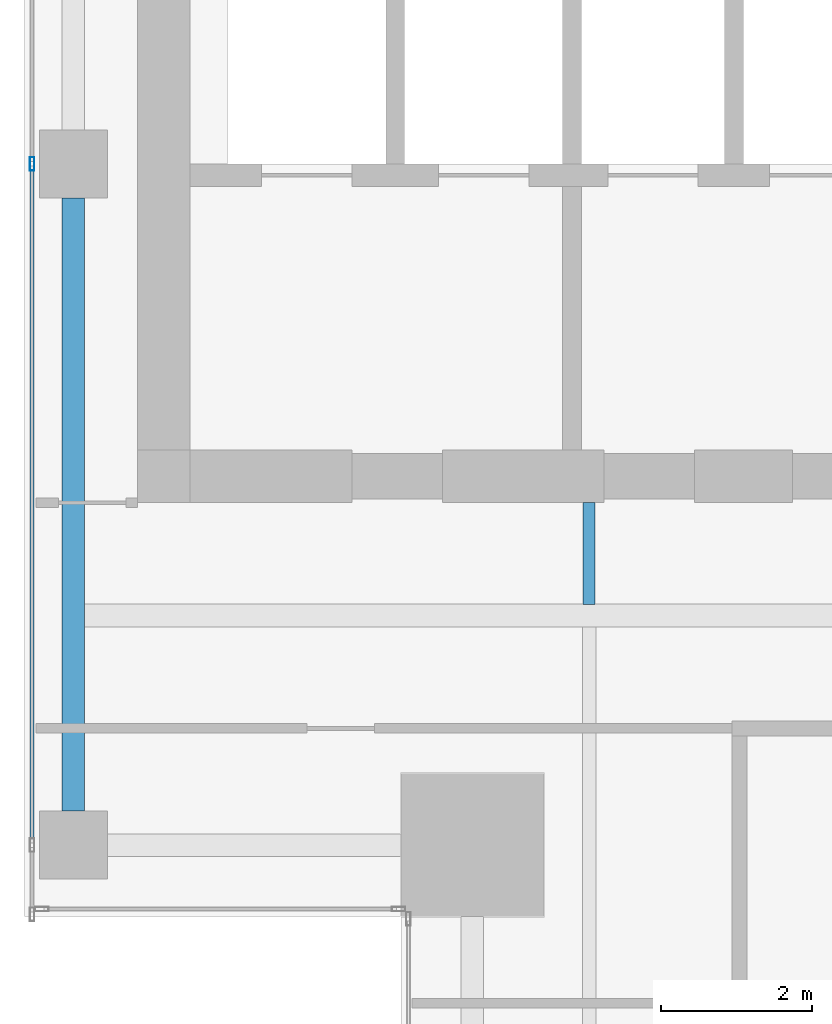
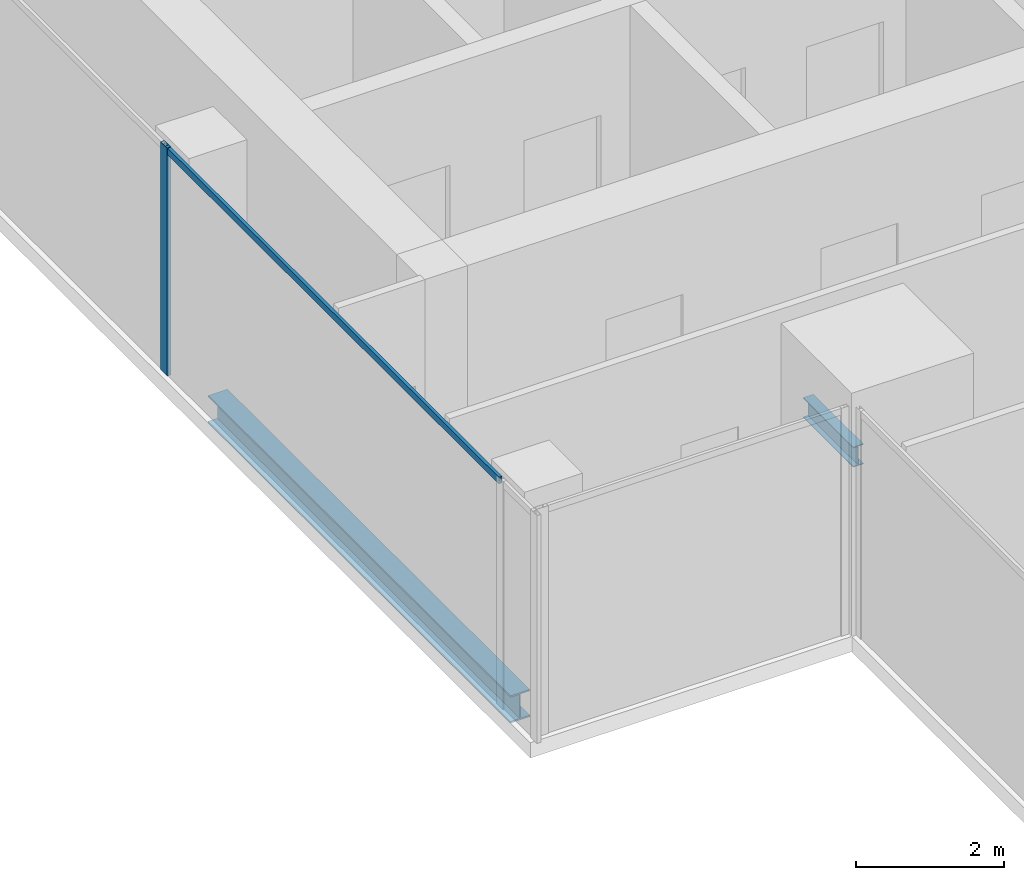
# One storey, part 4 of 35: 2 beams, 2 members, 1 element without a shape of its own.
"""IFC4 building model written with IfcOpenShell, lengths in metres."""

from ifc_helpers import new_model, si_unit, direction, frame, origin, origin_2d, place, context, subcontext, project, spatial, hollow_rectangle, i_section, extrude, source, transform, mapped, material, material_profile, profile_set, type_object, element, aggregate, save


model = new_model("IFC4")

# Units and contexts
model_context = context("Model", 3, precision=1e-05, world=origin(), true_north=direction((0.0, 1.0)))
body_context = subcontext(model_context, "Body", "Model", "MODEL_VIEW")
ifc_project = project(units=[si_unit("LENGTHUNIT", "METRE"), si_unit("AREAUNIT", "SQUARE_METRE"), si_unit("VOLUMEUNIT", "CUBIC_METRE"), si_unit("PLANEANGLEUNIT", "RADIAN"), si_unit("MASSUNIT", "GRAM", prefix="KILO")], contexts=[model_context])

# Site, building, storey
site_placement = place(None, origin())
site = spatial("IfcSite", under=ifc_project, at=site_placement, CompositionType="ELEMENT")
building_placement = place(site_placement, origin())
building = spatial("IfcBuilding", under=site, at=building_placement, Name="Khomas Fold Tower", CompositionType="ELEMENT")
storey_placement = place(building_placement, frame((0.0, 0.0, 262.199951171875)))
storey = spatial("IfcBuildingStorey", under=building, at=storey_placement, Name="L59", CompositionType="ELEMENT", Elevation=262.199951171875)

# Beams
ifc_material_1 = material(Name="Steel S355", Category="steel")
ifc_material_profile_1 = material_profile(ifc_material_1, i_section(OverallWidth=0.159912109375, OverallDepth=0.330078125, WebThickness=0.007568359375, FlangeThickness=0.011474609375, at=origin_2d()), Name="IPE 330")
ifc_profile_set_1 = profile_set([ifc_material_profile_1], Name="Steel S355")
beam_type_1 = type_object("IfcBeamType", Name="IPE 330 beam JB1", PredefinedType="BEAM", material=ifc_profile_set_1)
shared_shape_1 = source(origin(), body_context, "Body", "SweptSolid", [
    extrude(i_section(OverallWidth=0.159912109375, OverallDepth=0.330078125, WebThickness=0.007568359375, FlangeThickness=0.011474609375, at=origin_2d()), origin(), (0.0, 0.0, 1.0), 1.35009765625),
])
beam_1_placement = place(storey_placement, frame((12.0, 13.64990234375, -0.4150390625), z_axis=(0.0, 1.0, 0.0), x_axis=(-1.0, 0.0, 0.0)))
element("IfcBeam", 1, at=beam_1_placement, inside=storey, type_object=beam_type_1, Name="JB1", PredefinedType="BEAM", context=body_context, shape_type="MappedRepresentation", body=[
    mapped(shared_shape_1, transform((0.0, 0.0, 0.0))),
])
ifc_material_2 = material(Name="Steel S355", Category="steel")
ifc_material_profile_2 = material_profile(ifc_material_2, i_section(OverallWidth=0.300048828125, OverallDepth=0.449951171875, WebThickness=0.013916015625, FlangeThickness=0.02587890625, at=origin_2d()), Name="HE 450 B")
ifc_profile_set_2 = profile_set([ifc_material_profile_2], Name="Steel S355")
beam_type_2 = type_object("IfcBeamType", Name="HE 450 B spandrel SB4", PredefinedType="SPANDREL", material=ifc_profile_set_2)
shared_shape_2 = source(origin(), body_context, "Body", "SweptSolid", [
    extrude(i_section(OverallWidth=0.300048828125, OverallDepth=0.449951171875, WebThickness=0.013916015625, FlangeThickness=0.02587890625, at=origin_2d()), origin(), (0.0, 0.0, 1.0), 8.150146484375),
])
beam_2_placement = place(storey_placement, frame((5.14990234375, 10.89990234375, -0.474853515625), z_axis=(0.0, 1.0, 0.0), x_axis=(-1.0, 0.0, 0.0)))
element("IfcBeam", 2, at=beam_2_placement, inside=storey, type_object=beam_type_2, Name="SB4", PredefinedType="SPANDREL", context=body_context, shape_type="MappedRepresentation", body=[
    mapped(shared_shape_2, transform((0.0, 0.0, 0.0))),
])

# Curtain wall, members
ifc_material_3 = material(Name="Aluminium framed double glazing", Category="aluminium")
curtain_wall_type = type_object("IfcCurtainWallType", Name="SK-Unitised clear-glass wall, office floors CW2", PredefinedType="NOTDEFINED", material=ifc_material_3)
curtain_wall_placement = place(storey_placement, origin())
curtain_wall = element("IfcCurtainWall", 3, at=curtain_wall_placement, inside=storey, type_object=curtain_wall_type, Name="CW2 run L59 09-0", PredefinedType="NOTDEFINED")
ifc_material_4 = material(Name="Aluminium", Category="aluminium")
ifc_material_profile_3 = material_profile(ifc_material_4, hollow_rectangle(XDim=0.06005859375, YDim=0.179931640625, WallThickness=0.00390625, at=origin_2d()), Name="SK-Unitised clear-glass wall, office floors mullion CW2-M")
ifc_profile_set_3 = profile_set([ifc_material_profile_3], Name="Aluminium")
member_type_1 = type_object("IfcMemberType", Name="SK-Unitised clear-glass wall, office floors mullion CW2-M", PredefinedType="MULLION", material=ifc_profile_set_3)
shared_shape_3 = source(origin(), body_context, "Body", "SweptSolid", [
    extrude(hollow_rectangle(XDim=0.06005859375, YDim=0.179931640625, WallThickness=0.00390625, at=origin_2d()), origin(), (0.0, 0.0, 1.0), 3.75),
])
member_1_placement = place(storey_placement, frame((4.60009765625, 19.5, 0.0), z_axis=(0.0, 0.0, 1.0), x_axis=(1.0, 0.0, 0.0)))
member_1 = element("IfcMember", 4, at=member_1_placement, type_object=member_type_1, Name="CW2 mullion 5", PredefinedType="MULLION", context=body_context, shape_type="MappedRepresentation", body=[
    mapped(shared_shape_3, transform((0.0, 0.0, 0.0))),
])
ifc_material_5 = material(Name="Aluminium", Category="aluminium")
ifc_material_profile_4 = material_profile(ifc_material_5, hollow_rectangle(XDim=0.050048828125, YDim=0.110107421875, WallThickness=0.00390625, at=origin_2d()), Name="SK-Unitised clear-glass wall, office floors transom CW2-T")
ifc_profile_set_4 = profile_set([ifc_material_profile_4], Name="Aluminium")
member_type_2 = type_object("IfcMemberType", Name="SK-Unitised clear-glass wall, office floors transom CW2-T", PredefinedType="USERDEFINED", material=ifc_profile_set_4)
shared_shape_4 = source(origin(), body_context, "Body", "SweptSolid", [
    extrude(hollow_rectangle(XDim=0.050048828125, YDim=0.110107421875, WallThickness=0.00390625, at=origin_2d()), origin(), (0.0, 0.0, 1.0), 8.989990234375),
])
member_2_placement = place(storey_placement, frame((4.60009765625, 19.469970703125, 3.695068359375), z_axis=(0.0, -1.0, 0.0), x_axis=(1.0, 0.0, 0.0)))
member_2 = element("IfcMember", 5, at=member_2_placement, type_object=member_type_2, Name="CW2 transom 5", ObjectType="TRANSOM", PredefinedType="USERDEFINED", context=body_context, shape_type="MappedRepresentation", body=[
    mapped(shared_shape_4, transform((0.0, 0.0, 0.0))),
])
aggregate(curtain_wall, [member_1, member_2])

save(model, "model.ifc")
